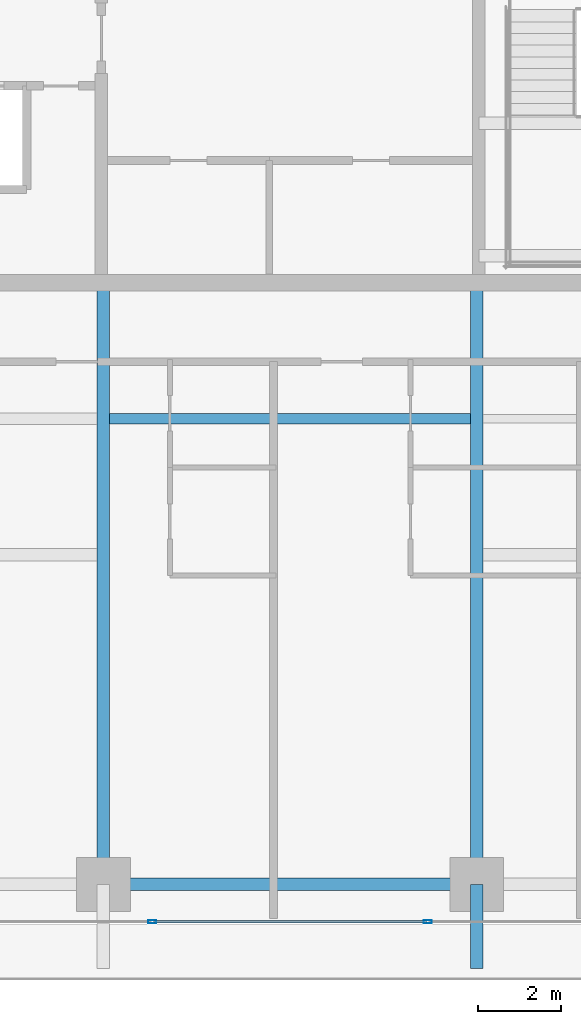
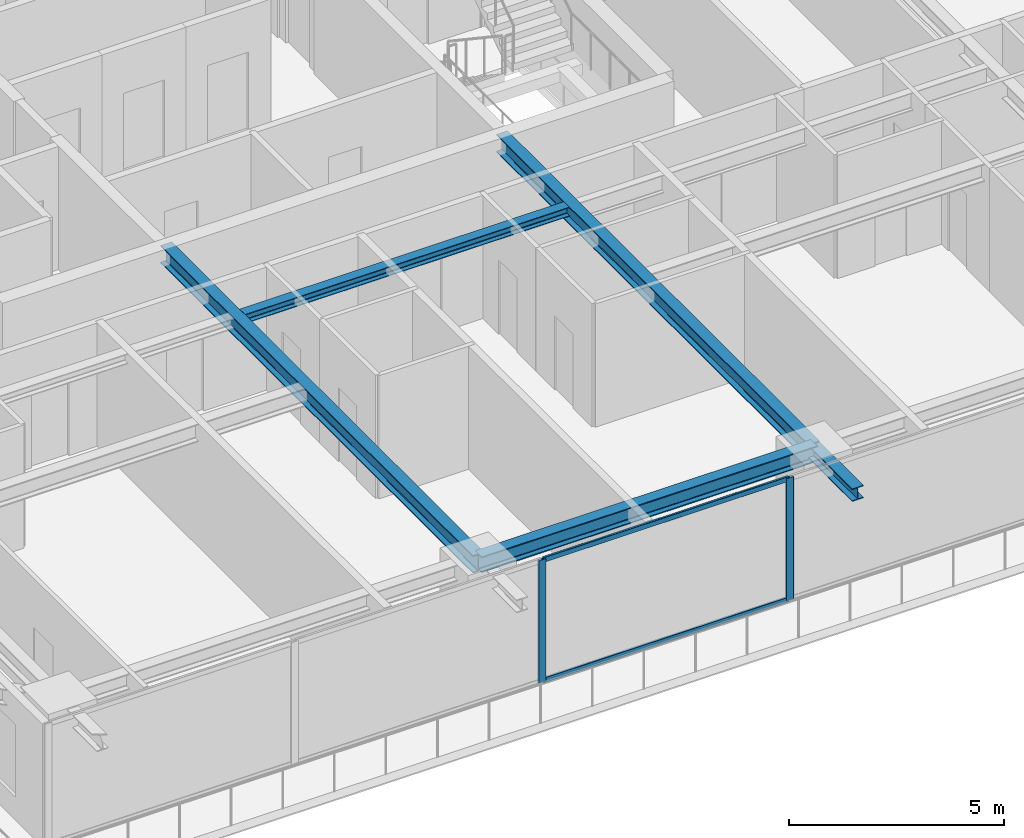
# One storey, part 5 of 33: 5 beams, 4 members, 1 element without a shape of its own.
"""IFC4 building model written with IfcOpenShell, lengths in metres."""

from ifc_helpers import new_model, si_unit, direction, frame, origin, origin_2d, place, context, subcontext, project, spatial, hollow_rectangle, i_section, extrude, source, transform, mapped, material, layer, layer_set, material_profile, profile_set, type_object, element, aggregate, save


model = new_model("IFC4")

# Units and contexts
model_context = context("Model", 3, precision=1e-05, world=origin(), true_north=direction((0.0, 1.0)))
body_context = subcontext(model_context, "Body", "Model", "MODEL_VIEW")
ifc_project = project(units=[si_unit("LENGTHUNIT", "METRE"), si_unit("AREAUNIT", "SQUARE_METRE"), si_unit("VOLUMEUNIT", "CUBIC_METRE"), si_unit("PLANEANGLEUNIT", "RADIAN"), si_unit("MASSUNIT", "GRAM", prefix="KILO")], contexts=[model_context])

# Site, building, storey
site_placement = place(None, origin())
site = spatial("IfcSite", under=ifc_project, at=site_placement, CompositionType="ELEMENT")
building_placement = place(site_placement, origin())
building = spatial("IfcBuilding", under=site, at=building_placement, Name="Serunith Strait Residences", CompositionType="ELEMENT")
storey_placement = place(building_placement, frame((0.0, 0.0, 150.14990234375)))
storey = spatial("IfcBuildingStorey", under=building, at=storey_placement, Name="L37", CompositionType="ELEMENT", Elevation=150.14990234375)

# Beams
ifc_material_1 = material(Name="Steel S355J2", Category="steel")
ifc_material_profile_1 = material_profile(ifc_material_1, i_section(OverallWidth=0.260009765625, OverallDepth=0.260009765625, WebThickness=0.010009765625, FlangeThickness=0.017578125, FilletRadius=0.02392578125, at=origin_2d()), Name="HEB 260")
ifc_profile_set_1 = profile_set([ifc_material_profile_1], Name="Steel S355J2")
beam_type_1 = type_object("IfcBeamType", Name="BM-HEB260", PredefinedType="JOIST", material=ifc_profile_set_1)
shared_shape_1 = source(origin(), body_context, "Body", "SweptSolid", [
    extrude(i_section(OverallWidth=0.260009765625, OverallDepth=0.260009765625, WebThickness=0.010009765625, FlangeThickness=0.017578125, FilletRadius=0.02392578125, at=origin_2d()), origin(), (0.0, 0.0, 1.0), 8.699951171875),
])
beam_1_placement = place(storey_placement, frame((28.050048828125, 13.52490234375, 3.357177734375), z_axis=(1.0, 0.0, 0.0), x_axis=(0.0, 1.0, 0.0)))
element("IfcBeam", 1, at=beam_1_placement, inside=storey, type_object=beam_type_1, Name="L37 Composite Floor Joist 02", PredefinedType="JOIST", context=body_context, shape_type="MappedRepresentation", body=[
    mapped(shared_shape_1, transform((0.0, 0.0, 0.0), scale=1.0)),
])
ifc_material_profile_2 = material_profile(ifc_material_1, i_section(OverallWidth=0.300048828125, OverallDepth=0.449951171875, WebThickness=0.013916015625, FlangeThickness=0.02587890625, FilletRadius=0.027099609375, at=origin_2d()), Name="HEB 450")
ifc_profile_set_2 = profile_set([ifc_material_profile_2], Name="Steel S355J2")
beam_type_2 = type_object("IfcBeamType", Name="BM-HEB450", PredefinedType="BEAM", material=ifc_profile_set_2)
shared_shape_2 = source(origin(), body_context, "Body", "SweptSolid", [
    extrude(i_section(OverallWidth=0.300048828125, OverallDepth=0.449951171875, WebThickness=0.013916015625, FlangeThickness=0.02587890625, FilletRadius=0.027099609375, at=origin_2d()), origin(), (0.0, 0.0, 1.0), 9.0),
])
beam_2_placement = place(storey_placement, frame((27.89990234375, 2.300048828125, 3.26220703125), z_axis=(1.0, 0.0, 0.0), x_axis=(0.0, 1.0, 0.0)))
element("IfcBeam", 2, at=beam_2_placement, inside=storey, type_object=beam_type_2, Name="L37 Perimeter Ring Beam 02", PredefinedType="BEAM", context=body_context, shape_type="MappedRepresentation", body=[
    mapped(shared_shape_2, transform((0.0, 0.0, 0.0), scale=1.0)),
])
ifc_material_profile_3 = material_profile(ifc_material_1, i_section(OverallWidth=0.300048828125, OverallDepth=0.5, WebThickness=0.014404296875, FlangeThickness=0.028076171875, FilletRadius=0.027099609375, at=origin_2d()), Name="HEB 500")
ifc_profile_set_3 = profile_set([ifc_material_profile_3], Name="Steel S355J2")
beam_type_3 = type_object("IfcBeamType", Name="BM-HEB500", PredefinedType="BEAM", material=ifc_profile_set_3)
shared_shape_3 = source(origin(), body_context, "Body", "SweptSolid", [
    extrude(i_section(OverallWidth=0.300048828125, OverallDepth=0.5, WebThickness=0.014404296875, FlangeThickness=0.028076171875, FilletRadius=0.027099609375, at=origin_2d()), origin(), (0.0, 0.0, 1.0), 14.5),
])
for number, where, z_axis, x_axis, name in (
    (3, (27.89990234375, 16.800048828125, 3.237060546875), (0.0, -1.0, 0.0), (1.0, 0.0, 0.0), "L37 Primary Floor Girder TC-S2"),
    (4, (36.89990234375, 16.800048828125, 3.237060546875), (0.0, -1.0, 0.0), (1.0, 0.0, 0.0), "L37 Primary Floor Girder TC-S3"),
):
    element("IfcBeam", number, at=place(storey_placement, frame(where, z_axis=z_axis, x_axis=x_axis)), inside=storey, type_object=beam_type_3, Name=name, PredefinedType="BEAM", context=body_context, shape_type="MappedRepresentation", body=[
        mapped(shared_shape_3, transform((0.0, 0.0, 0.0), scale=1.0)),
    ])
ifc_material_profile_4 = material_profile(ifc_material_1, i_section(OverallWidth=0.300048828125, OverallDepth=0.360107421875, WebThickness=0.012451171875, FlangeThickness=0.0224609375, FilletRadius=0.027099609375, at=origin_2d()), Name="HEB 360")
ifc_profile_set_4 = profile_set([ifc_material_profile_4], Name="Steel S355J2")
beam_type_4 = type_object("IfcBeamType", Name="BM-HEB360", PredefinedType="BEAM", material=ifc_profile_set_4)
shared_shape_4 = source(origin(), body_context, "Body", "SweptSolid", [
    extrude(i_section(OverallWidth=0.300048828125, OverallDepth=0.360107421875, WebThickness=0.012451171875, FlangeThickness=0.0224609375, FilletRadius=0.027099609375, at=origin_2d()), origin(), (0.0, 0.0, 1.0), 2.030029296875),
])
beam_3_placement = place(storey_placement, frame((36.89990234375, 2.300048828125, 3.277099609375), z_axis=(0.0, -1.0, 0.0), x_axis=(1.0, 0.0, 0.0)))
element("IfcBeam", 5, at=beam_3_placement, inside=storey, type_object=beam_type_4, Name="L38 Cantilevered Balcony Rib TC-S3", PredefinedType="BEAM", context=body_context, shape_type="MappedRepresentation", body=[
    mapped(shared_shape_4, transform((0.0, 0.0, 0.0), scale=1.0)),
])

# Curtain wall, members
ifc_material_2 = material(Name="Pale-Champagne Anodised Aluminium", Category="aluminium")
ifc_layer = layer(ifc_material_2, 0.199951171875, Name="Pale-Champagne Anodised Aluminium")
ifc_layer_set = layer_set([ifc_layer], Name="Pale-Champagne Anodised Aluminium")
curtain_wall_type = type_object("IfcCurtainWallType", Name="CW-SYS2", PredefinedType="NOTDEFINED", material=ifc_layer_set)
curtain_wall_placement = place(storey_placement, origin())
curtain_wall = element("IfcCurtainWall", 6, at=curtain_wall_placement, inside=storey, type_object=curtain_wall_type, Name="L37 S Unitised Fritted Curtain Wall", PredefinedType="NOTDEFINED")
ifc_material_profile_5 = material_profile(ifc_material_2, hollow_rectangle(XDim=0.070068359375, YDim=0.199951171875, WallThickness=0.00390625, InnerFilletRadius=0.006103515625, OuterFilletRadius=0.010009765625, at=origin_2d()), Name="ALU 200x70x4")
ifc_profile_set_5 = profile_set([ifc_material_profile_5], Name="Pale-Champagne Anodised Aluminium")
member_type_1 = type_object("IfcMemberType", Name="CW-SYS2-MULL", PredefinedType="MULLION", material=ifc_profile_set_5)
shared_shape_5 = source(origin(), body_context, "Body", "SweptSolid", [
    extrude(hollow_rectangle(XDim=0.070068359375, YDim=0.199951171875, WallThickness=0.00390625, InnerFilletRadius=0.006103515625, OuterFilletRadius=0.010009765625, at=origin_2d()), origin(), (0.0, 0.0, 1.0), 3.47509765625),
])
member_1_placement = place(storey_placement, frame((29.080078125, 1.39990234375, 0.0), z_axis=(0.0, 0.0, 1.0), x_axis=(0.0, 1.0, 0.0)))
member_1 = element("IfcMember", 7, at=member_1_placement, type_object=member_type_1, Name="CW-2 mullion 3", PredefinedType="MULLION", context=body_context, shape_type="MappedRepresentation", body=[
    mapped(shared_shape_5, transform((0.0, 0.0, 0.0), scale=1.0)),
])
member_2_placement = place(storey_placement, frame((35.719970703125, 1.39990234375, 0.0), z_axis=(0.0, 0.0, 1.0), x_axis=(0.0, 1.0, 0.0)))
member_2 = element("IfcMember", 8, at=member_2_placement, type_object=member_type_1, Name="CW-2 mullion 4", PredefinedType="MULLION", context=body_context, shape_type="MappedRepresentation", body=[
    mapped(shared_shape_5, transform((0.0, 0.0, 0.0), scale=1.0)),
])
ifc_material_profile_6 = material_profile(ifc_material_2, hollow_rectangle(XDim=0.06005859375, YDim=0.139892578125, WallThickness=0.00341796875, InnerFilletRadius=0.00537109375, OuterFilletRadius=0.0087890625, at=origin_2d()), Name="ALU 140x60x3.5")
ifc_profile_set_6 = profile_set([ifc_material_profile_6], Name="Pale-Champagne Anodised Aluminium")
member_type_2 = type_object("IfcMemberType", Name="CW-SYS2-TRAN", PredefinedType="USERDEFINED", material=ifc_profile_set_6)
shared_shape_6 = source(origin(), body_context, "Body", "SweptSolid", [
    extrude(hollow_rectangle(XDim=0.06005859375, YDim=0.139892578125, WallThickness=0.00341796875, InnerFilletRadius=0.00537109375, OuterFilletRadius=0.0087890625, at=origin_2d()), origin(), (0.0, 0.0, 1.0), 6.570068359375),
])
member_3_placement = place(storey_placement, frame((29.114990234375, 1.39990234375, 0.030029296875), z_axis=(1.0, 0.0, 0.0), x_axis=(0.0, 1.0, 0.0)))
member_3 = element("IfcMember", 9, at=member_3_placement, type_object=member_type_2, Name="CW-2 transom 3.1", ObjectType="TRANSOM", PredefinedType="USERDEFINED", context=body_context, shape_type="MappedRepresentation", body=[
    mapped(shared_shape_6, transform((0.0, 0.0, 0.0), scale=1.0)),
])
member_4_placement = place(storey_placement, frame((29.114990234375, 1.39990234375, 3.445068359375), z_axis=(1.0, 0.0, 0.0), x_axis=(0.0, 1.0, 0.0)))
member_4 = element("IfcMember", 10, at=member_4_placement, type_object=member_type_2, Name="CW-2 transom 3.2", ObjectType="TRANSOM", PredefinedType="USERDEFINED", context=body_context, shape_type="MappedRepresentation", body=[
    mapped(shared_shape_6, transform((0.0, 0.0, 0.0), scale=1.0)),
])
aggregate(curtain_wall, [member_1, member_2, member_3, member_4])

save(model, "model.ifc")
